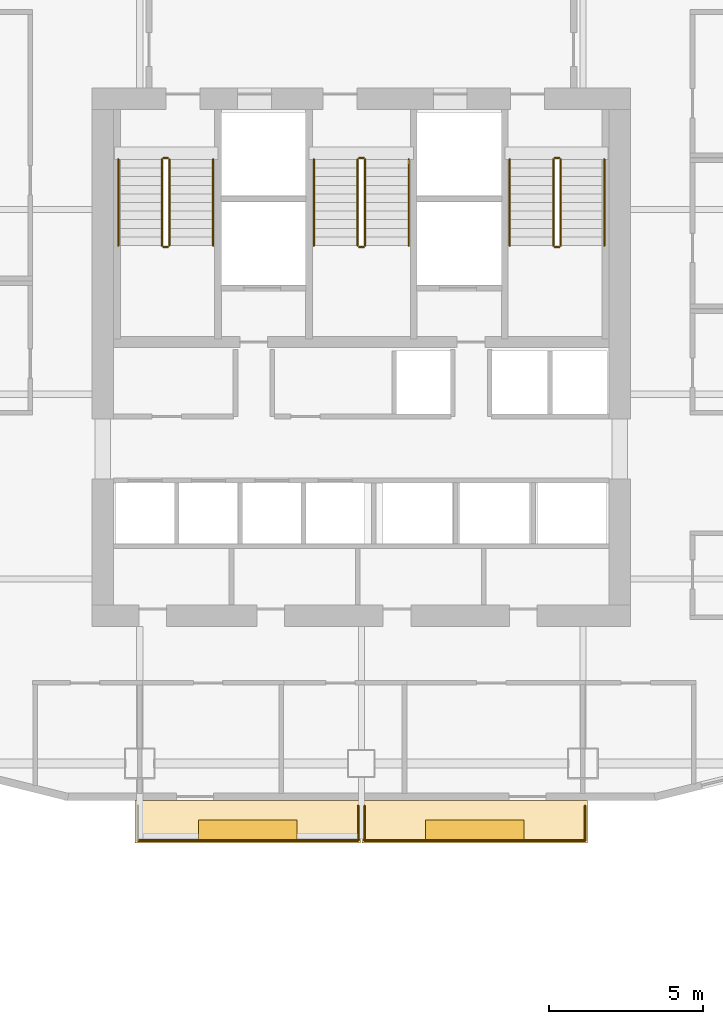
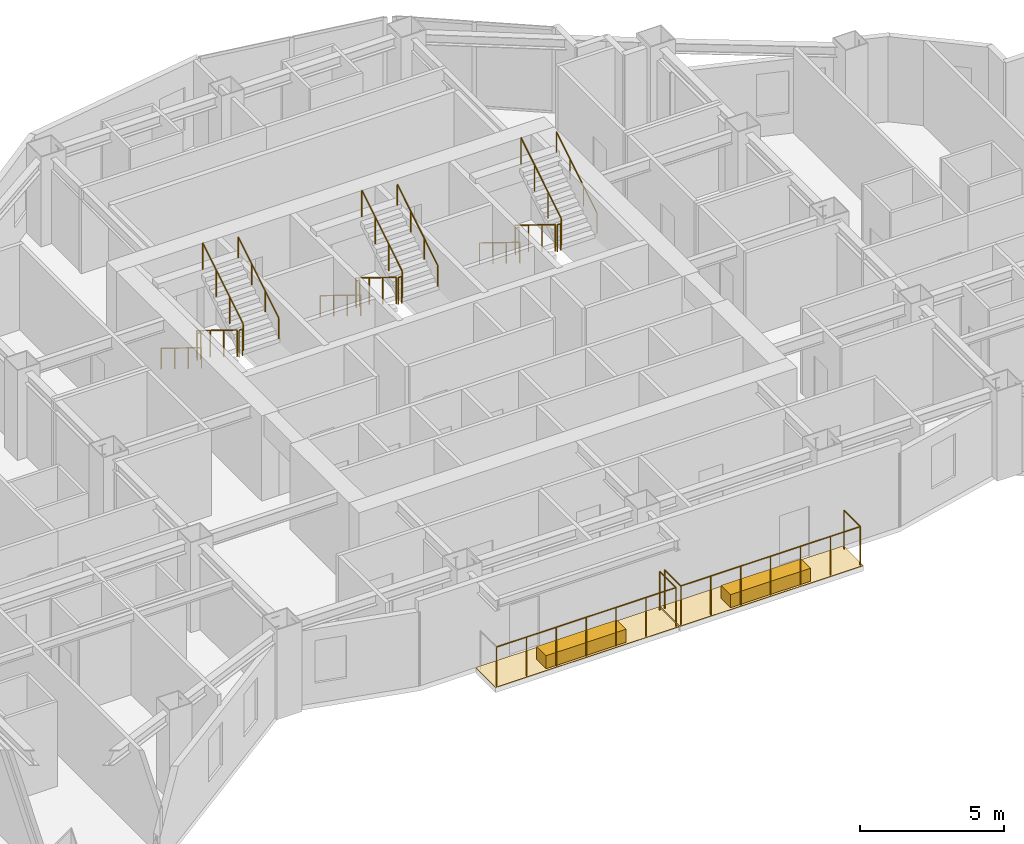
# One storey, part 14 of 14: 21 railings, 4 coverings.
"""IFC4 building model written with IfcOpenShell, lengths in metres."""

from ifc_helpers import new_model, si_unit, direction, frame, origin, origin_2d, place, context, subcontext, project, spatial, polyline, rectangle, circle, outline, extrude, material, layer, layer_set, type_object, element, save


model = new_model("IFC4")

# Units and contexts
model_context = context("Model", 3, precision=1e-05, world=origin(), true_north=direction((0.0, 1.0)))
body_context = subcontext(model_context, "Body", "Model", "MODEL_VIEW")
ifc_project = project(units=[si_unit("LENGTHUNIT", "METRE"), si_unit("AREAUNIT", "SQUARE_METRE"), si_unit("VOLUMEUNIT", "CUBIC_METRE"), si_unit("PLANEANGLEUNIT", "RADIAN"), si_unit("MASSUNIT", "GRAM", prefix="KILO")], contexts=[model_context])

# Site, building, storey
site_placement = place(None, origin())
site = spatial("IfcSite", under=ifc_project, at=site_placement, CompositionType="ELEMENT")
building_placement = place(site_placement, origin())
building = spatial("IfcBuilding", under=site, at=building_placement, Name="Haolan Belvedere Tower", CompositionType="ELEMENT")
storey_placement = place(building_placement, frame((0.0, 0.0, 121.199951171875)))
storey = spatial("IfcBuildingStorey", under=building, at=storey_placement, Name="L30", CompositionType="ELEMENT", Elevation=121.199951171875)

# Coverings
ifc_material_1 = material(Name="Engineered lightweight planted garden soil substrate", Category="masonry")
ifc_layer_1 = layer(ifc_material_1, 0.550048828125, Name="Engineered lightweight planted garden soil substrate")
ifc_layer_set_1 = layer_set([ifc_layer_1], Name="Engineered lightweight planted garden soil substrate")
covering_type_1 = type_object("IfcCoveringType", Name="COV-PLANT-550", PredefinedType="MEMBRANE", material=ifc_layer_set_1)
for number, where, z_axis, x_axis, name in (
    (1, (34.715087890625, 19.43994140625, 0.0), (0.0, 0.0, 1.0), (1.0, 0.0, 0.0), "L30 structural tree balcony PLANTER box 1"),
    (2, (42.0849609375, 19.43994140625, 0.0), (0.0, 0.0, 1.0), (1.0, 0.0, 0.0), "L30 structural tree balcony PLANTER box 2"),
):
    element("IfcCovering", number, at=place(storey_placement, frame(where, z_axis=z_axis, x_axis=x_axis)), inside=storey, type_object=covering_type_1, Name=name, PredefinedType="MEMBRANE", context=body_context, shape_type="SweptSolid", body=[
        extrude(rectangle(XDim=3.199951171875, YDim=0.64990234375, at=origin_2d()), origin(), (0.0, 0.0, 1.0), 0.550048828125),
    ])
ifc_material_2 = material(Name="Elastomeric waterproof roofing membrane and stone pavers", Category="masonry")
ifc_layer_2 = layer(ifc_material_2, 0.02001953125, Name="Elastomeric waterproof roofing membrane and stone pavers")
ifc_layer_set_2 = layer_set([ifc_layer_2], Name="Elastomeric waterproof roofing membrane and stone pavers")
covering_type_2 = type_object("IfcCoveringType", Name="COV-ROOF-20", PredefinedType="ROOFING", material=ifc_layer_set_2)
covering_1_placement = place(storey_placement, frame((0.0, 0.0, -0.02001953125)))
element("IfcCovering", 3, at=covering_1_placement, inside=storey, type_object=covering_type_2, Name="L30 tree-balcony waterproof membrane 1", PredefinedType="ROOFING", context=body_context, shape_type="SweptSolid", body=[
    extrude(outline(polyline([(31.050048828125, 19.02001953125), (38.3798828125, 19.02001953125), (38.3798828125, 20.39990234375), (31.050048828125, 20.39990234375), (31.050048828125, 19.02001953125)])), origin(), (0.0, 0.0, 1.0), 0.02001953125),
])
covering_2_placement = place(storey_placement, frame((0.0, 0.0, -0.02001953125)))
element("IfcCovering", 4, at=covering_2_placement, inside=storey, type_object=covering_type_2, Name="L30 tree-balcony waterproof membrane 2", PredefinedType="ROOFING", context=body_context, shape_type="SweptSolid", body=[
    extrude(outline(polyline([(38.419921875, 19.02001953125), (45.75, 19.02001953125), (45.75, 20.39990234375), (38.419921875, 20.39990234375), (38.419921875, 19.02001953125)])), origin(), (0.0, 0.0, 1.0), 0.02001953125),
])

# Railings
ifc_material_3 = material(Name="Brushed stainless steel 304", Category="steel")
railing_type_1 = type_object("IfcRailingType", Name="RL-STAIR-GRD-1150", PredefinedType="GUARDRAIL", material=ifc_material_3)
railing_1_placement = place(storey_placement, frame((31.919921875, 41.22998046875, 0.1728515625)))
element("IfcRailing", 5, at=railing_1_placement, inside=storey, type_object=railing_type_1, Name="L30 ST1 stair guard 1", PredefinedType="GUARDRAIL", context=body_context, shape_type="SweptSolid", body=[
    extrude(circle(Radius=0.02392578125, at=origin_2d()), frame((0.0, 0.0, 1.1259765625), z_axis=(0.0, -0.851089632645, 0.525020415988), x_axis=(1.0, 0.0, 0.0)), (0.0, 0.0, 1.0), 3.2900390625),
    extrude(circle(Radius=0.02099609375, at=origin_2d()), origin(), (0.0, 0.0, 1.0), 1.101806640625),
    extrude(circle(Radius=0.02099609375, at=origin_2d()), frame((0.0, -0.933349609375, 0.57568359375)), (0.0, 0.0, 1.0), 1.101806640625),
    extrude(circle(Radius=0.02099609375, at=origin_2d()), frame((0.0, -1.86669921875, 1.151611328125)), (0.0, 0.0, 1.0), 1.101806640625),
    extrude(circle(Radius=0.02099609375, at=origin_2d()), frame((0.0, -2.800048828125, 1.727294921875)), (0.0, 0.0, 1.0), 1.101806640625),
])
railing_2_placement = place(storey_placement, frame((31.969970703125, 38.3798828125, 1.900146484375)))
element("IfcRailing", 6, at=railing_2_placement, inside=storey, type_object=railing_type_1, Name="L30 ST1 stair guard 2", PredefinedType="GUARDRAIL", context=body_context, shape_type="SweptSolid", body=[
    extrude(circle(Radius=0.02392578125, at=origin_2d()), frame((0.0, 0.0, 1.1259765625), z_axis=(1.0, 0.0, 0.0), x_axis=(0.0, 1.0, 0.0)), (0.0, 0.0, 1.0), 0.14013671875),
    extrude(circle(Radius=0.02099609375, at=origin_2d()), origin(), (0.0, 0.0, 1.0), 1.101806640625),
    extrude(circle(Radius=0.02099609375, at=origin_2d()), frame((0.14013671875, 0.0, 0.0)), (0.0, 0.0, 1.0), 1.101806640625),
])
railing_3_placement = place(storey_placement, frame((32.159912109375, 38.429931640625, 2.07275390625)))
element("IfcRailing", 7, at=railing_3_placement, inside=storey, type_object=railing_type_1, Name="L30 ST1 stair guard 3", PredefinedType="GUARDRAIL", context=body_context, shape_type="SweptSolid", body=[
    extrude(circle(Radius=0.02392578125, at=origin_2d()), frame((0.0, 0.0, 1.1259765625), z_axis=(0.0, 0.851089632645, 0.525020415988), x_axis=(-1.0, 0.0, 0.0)), (0.0, 0.0, 1.0), 3.2900390625),
    extrude(circle(Radius=0.02099609375, at=origin_2d()), origin(), (0.0, 0.0, 1.0), 1.101806640625),
    extrude(circle(Radius=0.02099609375, at=origin_2d()), frame((0.0, 0.933349609375, 0.57568359375)), (0.0, 0.0, 1.0), 1.101806640625),
    extrude(circle(Radius=0.02099609375, at=origin_2d()), frame((0.0, 1.86669921875, 1.151611328125)), (0.0, 0.0, 1.0), 1.101806640625),
    extrude(circle(Radius=0.02099609375, at=origin_2d()), frame((0.0, 2.800048828125, 1.727294921875)), (0.0, 0.0, 1.0), 1.101806640625),
])
railing_4_placement = place(storey_placement, frame((31.969970703125, 41.280029296875, 0.0)))
element("IfcRailing", 8, at=railing_4_placement, inside=storey, type_object=railing_type_1, Name="L30 ST1 stair guard 4", PredefinedType="GUARDRAIL", context=body_context, shape_type="SweptSolid", body=[
    extrude(circle(Radius=0.02392578125, at=origin_2d()), frame((0.0, 0.0, 1.1259765625), z_axis=(1.0, 0.0, 0.0), x_axis=(0.0, 1.0, 0.0)), (0.0, 0.0, 1.0), 0.14013671875),
    extrude(circle(Radius=0.02099609375, at=origin_2d()), origin(), (0.0, 0.0, 1.0), 1.101806640625),
    extrude(circle(Radius=0.02099609375, at=origin_2d()), frame((0.14013671875, 0.0, 0.0)), (0.0, 0.0, 1.0), 1.101806640625),
])
railing_5_placement = place(storey_placement, frame((38.280029296875, 41.22998046875, 0.1728515625)))
element("IfcRailing", 9, at=railing_5_placement, inside=storey, type_object=railing_type_1, Name="L30 ST3 stair guard 1", PredefinedType="GUARDRAIL", context=body_context, shape_type="SweptSolid", body=[
    extrude(circle(Radius=0.02392578125, at=origin_2d()), frame((0.0, 0.0, 1.1259765625), z_axis=(0.0, -0.851089632645, 0.525020415988), x_axis=(1.0, 0.0, 0.0)), (0.0, 0.0, 1.0), 3.2900390625),
    extrude(circle(Radius=0.02099609375, at=origin_2d()), origin(), (0.0, 0.0, 1.0), 1.101806640625),
    extrude(circle(Radius=0.02099609375, at=origin_2d()), frame((0.0, -0.933349609375, 0.57568359375)), (0.0, 0.0, 1.0), 1.101806640625),
    extrude(circle(Radius=0.02099609375, at=origin_2d()), frame((0.0, -1.86669921875, 1.151611328125)), (0.0, 0.0, 1.0), 1.101806640625),
    extrude(circle(Radius=0.02099609375, at=origin_2d()), frame((0.0, -2.800048828125, 1.727294921875)), (0.0, 0.0, 1.0), 1.101806640625),
])
railing_6_placement = place(storey_placement, frame((38.330078125, 38.3798828125, 1.900146484375)))
element("IfcRailing", 10, at=railing_6_placement, inside=storey, type_object=railing_type_1, Name="L30 ST3 stair guard 2", PredefinedType="GUARDRAIL", context=body_context, shape_type="SweptSolid", body=[
    extrude(circle(Radius=0.02392578125, at=origin_2d()), frame((0.0, 0.0, 1.1259765625), z_axis=(1.0, 0.0, 0.0), x_axis=(0.0, 1.0, 0.0)), (0.0, 0.0, 1.0), 0.139892578125),
    extrude(circle(Radius=0.02099609375, at=origin_2d()), origin(), (0.0, 0.0, 1.0), 1.101806640625),
    extrude(circle(Radius=0.02099609375, at=origin_2d()), frame((0.139892578125, 0.0, 0.0)), (0.0, 0.0, 1.0), 1.101806640625),
])
railing_7_placement = place(storey_placement, frame((38.52001953125, 38.429931640625, 2.07275390625)))
element("IfcRailing", 11, at=railing_7_placement, inside=storey, type_object=railing_type_1, Name="L30 ST3 stair guard 3", PredefinedType="GUARDRAIL", context=body_context, shape_type="SweptSolid", body=[
    extrude(circle(Radius=0.02392578125, at=origin_2d()), frame((0.0, 0.0, 1.1259765625), z_axis=(0.0, 0.851089632645, 0.525020415988), x_axis=(-1.0, 0.0, 0.0)), (0.0, 0.0, 1.0), 3.2900390625),
    extrude(circle(Radius=0.02099609375, at=origin_2d()), origin(), (0.0, 0.0, 1.0), 1.101806640625),
    extrude(circle(Radius=0.02099609375, at=origin_2d()), frame((0.0, 0.933349609375, 0.57568359375)), (0.0, 0.0, 1.0), 1.101806640625),
    extrude(circle(Radius=0.02099609375, at=origin_2d()), frame((0.0, 1.86669921875, 1.151611328125)), (0.0, 0.0, 1.0), 1.101806640625),
    extrude(circle(Radius=0.02099609375, at=origin_2d()), frame((0.0, 2.800048828125, 1.727294921875)), (0.0, 0.0, 1.0), 1.101806640625),
])
railing_8_placement = place(storey_placement, frame((38.330078125, 41.280029296875, 0.0)))
element("IfcRailing", 12, at=railing_8_placement, inside=storey, type_object=railing_type_1, Name="L30 ST3 stair guard 4", PredefinedType="GUARDRAIL", context=body_context, shape_type="SweptSolid", body=[
    extrude(circle(Radius=0.02392578125, at=origin_2d()), frame((0.0, 0.0, 1.1259765625), z_axis=(1.0, 0.0, 0.0), x_axis=(0.0, 1.0, 0.0)), (0.0, 0.0, 1.0), 0.139892578125),
    extrude(circle(Radius=0.02099609375, at=origin_2d()), origin(), (0.0, 0.0, 1.0), 1.101806640625),
    extrude(circle(Radius=0.02099609375, at=origin_2d()), frame((0.139892578125, 0.0, 0.0)), (0.0, 0.0, 1.0), 1.101806640625),
])
railing_9_placement = place(storey_placement, frame((44.639892578125, 41.22998046875, 0.1728515625)))
element("IfcRailing", 13, at=railing_9_placement, inside=storey, type_object=railing_type_1, Name="L30 ST2 stair guard 1", PredefinedType="GUARDRAIL", context=body_context, shape_type="SweptSolid", body=[
    extrude(circle(Radius=0.02392578125, at=origin_2d()), frame((0.0, 0.0, 1.1259765625), z_axis=(0.0, -0.851089632645, 0.525020415988), x_axis=(1.0, 0.0, 0.0)), (0.0, 0.0, 1.0), 3.2900390625),
    extrude(circle(Radius=0.02099609375, at=origin_2d()), origin(), (0.0, 0.0, 1.0), 1.101806640625),
    extrude(circle(Radius=0.02099609375, at=origin_2d()), frame((0.0, -0.933349609375, 0.57568359375)), (0.0, 0.0, 1.0), 1.101806640625),
    extrude(circle(Radius=0.02099609375, at=origin_2d()), frame((0.0, -1.86669921875, 1.151611328125)), (0.0, 0.0, 1.0), 1.101806640625),
    extrude(circle(Radius=0.02099609375, at=origin_2d()), frame((0.0, -2.800048828125, 1.727294921875)), (0.0, 0.0, 1.0), 1.101806640625),
])
railing_10_placement = place(storey_placement, frame((44.68994140625, 38.3798828125, 1.900146484375)))
element("IfcRailing", 14, at=railing_10_placement, inside=storey, type_object=railing_type_1, Name="L30 ST2 stair guard 2", PredefinedType="GUARDRAIL", context=body_context, shape_type="SweptSolid", body=[
    extrude(circle(Radius=0.02392578125, at=origin_2d()), frame((0.0, 0.0, 1.1259765625), z_axis=(1.0, 0.0, 0.0), x_axis=(0.0, 1.0, 0.0)), (0.0, 0.0, 1.0), 0.14013671875),
    extrude(circle(Radius=0.02099609375, at=origin_2d()), origin(), (0.0, 0.0, 1.0), 1.101806640625),
    extrude(circle(Radius=0.02099609375, at=origin_2d()), frame((0.14013671875, 0.0, 0.0)), (0.0, 0.0, 1.0), 1.101806640625),
])
railing_11_placement = place(storey_placement, frame((44.8798828125, 38.429931640625, 2.07275390625)))
element("IfcRailing", 15, at=railing_11_placement, inside=storey, type_object=railing_type_1, Name="L30 ST2 stair guard 3", PredefinedType="GUARDRAIL", context=body_context, shape_type="SweptSolid", body=[
    extrude(circle(Radius=0.02392578125, at=origin_2d()), frame((0.0, 0.0, 1.1259765625), z_axis=(0.0, 0.851089632645, 0.525020415988), x_axis=(-1.0, 0.0, 0.0)), (0.0, 0.0, 1.0), 3.2900390625),
    extrude(circle(Radius=0.02099609375, at=origin_2d()), origin(), (0.0, 0.0, 1.0), 1.101806640625),
    extrude(circle(Radius=0.02099609375, at=origin_2d()), frame((0.0, 0.933349609375, 0.57568359375)), (0.0, 0.0, 1.0), 1.101806640625),
    extrude(circle(Radius=0.02099609375, at=origin_2d()), frame((0.0, 1.86669921875, 1.151611328125)), (0.0, 0.0, 1.0), 1.101806640625),
    extrude(circle(Radius=0.02099609375, at=origin_2d()), frame((0.0, 2.800048828125, 1.727294921875)), (0.0, 0.0, 1.0), 1.101806640625),
])
railing_12_placement = place(storey_placement, frame((44.68994140625, 41.280029296875, 0.0)))
element("IfcRailing", 16, at=railing_12_placement, inside=storey, type_object=railing_type_1, Name="L30 ST2 stair guard 4", PredefinedType="GUARDRAIL", context=body_context, shape_type="SweptSolid", body=[
    extrude(circle(Radius=0.02392578125, at=origin_2d()), frame((0.0, 0.0, 1.1259765625), z_axis=(1.0, 0.0, 0.0), x_axis=(0.0, 1.0, 0.0)), (0.0, 0.0, 1.0), 0.14013671875),
    extrude(circle(Radius=0.02099609375, at=origin_2d()), origin(), (0.0, 0.0, 1.0), 1.101806640625),
    extrude(circle(Radius=0.02099609375, at=origin_2d()), frame((0.14013671875, 0.0, 0.0)), (0.0, 0.0, 1.0), 1.101806640625),
])
railing_type_2 = type_object("IfcRailingType", Name="RL-STAIR-HND-900", PredefinedType="HANDRAIL", material=ifc_material_3)
railing_13_placement = place(storey_placement, frame((30.5, 41.22998046875, 0.1728515625)))
element("IfcRailing", 17, at=railing_13_placement, inside=storey, type_object=railing_type_2, Name="L30 ST1 stair handrail 1", PredefinedType="HANDRAIL", context=body_context, shape_type="SweptSolid", body=[
    extrude(circle(Radius=0.02392578125, at=origin_2d()), frame((0.0, 0.0, 0.8759765625), z_axis=(0.0, -0.851089632645, 0.525020415988), x_axis=(1.0, 0.0, 0.0)), (0.0, 0.0, 1.0), 3.2900390625),
    extrude(circle(Radius=0.02099609375, at=origin_2d()), origin(), (0.0, 0.0, 1.0), 0.851806640625),
    extrude(circle(Radius=0.02099609375, at=origin_2d()), frame((0.0, -0.933349609375, 0.57568359375)), (0.0, 0.0, 1.0), 0.851806640625),
    extrude(circle(Radius=0.02099609375, at=origin_2d()), frame((0.0, -1.86669921875, 1.151611328125)), (0.0, 0.0, 1.0), 0.851806640625),
    extrude(circle(Radius=0.02099609375, at=origin_2d()), frame((0.0, -2.800048828125, 1.727294921875)), (0.0, 0.0, 1.0), 0.851806640625),
])
railing_14_placement = place(storey_placement, frame((33.580078125, 38.429931640625, 2.07275390625)))
element("IfcRailing", 18, at=railing_14_placement, inside=storey, type_object=railing_type_2, Name="L30 ST1 stair handrail 2", PredefinedType="HANDRAIL", context=body_context, shape_type="SweptSolid", body=[
    extrude(circle(Radius=0.02392578125, at=origin_2d()), frame((0.0, 0.0, 0.8759765625), z_axis=(0.0, 0.851089632645, 0.525020415988), x_axis=(-1.0, 0.0, 0.0)), (0.0, 0.0, 1.0), 3.2900390625),
    extrude(circle(Radius=0.02099609375, at=origin_2d()), origin(), (0.0, 0.0, 1.0), 0.851806640625),
    extrude(circle(Radius=0.02099609375, at=origin_2d()), frame((0.0, 0.933349609375, 0.57568359375)), (0.0, 0.0, 1.0), 0.851806640625),
    extrude(circle(Radius=0.02099609375, at=origin_2d()), frame((0.0, 1.86669921875, 1.151611328125)), (0.0, 0.0, 1.0), 0.851806640625),
    extrude(circle(Radius=0.02099609375, at=origin_2d()), frame((0.0, 2.800048828125, 1.727294921875)), (0.0, 0.0, 1.0), 0.851806640625),
])
railing_15_placement = place(storey_placement, frame((36.860107421875, 41.22998046875, 0.1728515625)))
element("IfcRailing", 19, at=railing_15_placement, inside=storey, type_object=railing_type_2, Name="L30 ST3 stair handrail 1", PredefinedType="HANDRAIL", context=body_context, shape_type="SweptSolid", body=[
    extrude(circle(Radius=0.02392578125, at=origin_2d()), frame((0.0, 0.0, 0.8759765625), z_axis=(0.0, -0.851089632645, 0.525020415988), x_axis=(1.0, 0.0, 0.0)), (0.0, 0.0, 1.0), 3.2900390625),
    extrude(circle(Radius=0.02099609375, at=origin_2d()), origin(), (0.0, 0.0, 1.0), 0.851806640625),
    extrude(circle(Radius=0.02099609375, at=origin_2d()), frame((0.0, -0.933349609375, 0.57568359375)), (0.0, 0.0, 1.0), 0.851806640625),
    extrude(circle(Radius=0.02099609375, at=origin_2d()), frame((0.0, -1.86669921875, 1.151611328125)), (0.0, 0.0, 1.0), 0.851806640625),
    extrude(circle(Radius=0.02099609375, at=origin_2d()), frame((0.0, -2.800048828125, 1.727294921875)), (0.0, 0.0, 1.0), 0.851806640625),
])
railing_16_placement = place(storey_placement, frame((39.93994140625, 38.429931640625, 2.07275390625)))
element("IfcRailing", 20, at=railing_16_placement, inside=storey, type_object=railing_type_2, Name="L30 ST3 stair handrail 2", PredefinedType="HANDRAIL", context=body_context, shape_type="SweptSolid", body=[
    extrude(circle(Radius=0.02392578125, at=origin_2d()), frame((0.0, 0.0, 0.8759765625), z_axis=(0.0, 0.851089632645, 0.525020415988), x_axis=(-1.0, 0.0, 0.0)), (0.0, 0.0, 1.0), 3.2900390625),
    extrude(circle(Radius=0.02099609375, at=origin_2d()), origin(), (0.0, 0.0, 1.0), 0.851806640625),
    extrude(circle(Radius=0.02099609375, at=origin_2d()), frame((0.0, 0.933349609375, 0.57568359375)), (0.0, 0.0, 1.0), 0.851806640625),
    extrude(circle(Radius=0.02099609375, at=origin_2d()), frame((0.0, 1.86669921875, 1.151611328125)), (0.0, 0.0, 1.0), 0.851806640625),
    extrude(circle(Radius=0.02099609375, at=origin_2d()), frame((0.0, 2.800048828125, 1.727294921875)), (0.0, 0.0, 1.0), 0.851806640625),
])
railing_17_placement = place(storey_placement, frame((43.219970703125, 41.22998046875, 0.1728515625)))
element("IfcRailing", 21, at=railing_17_placement, inside=storey, type_object=railing_type_2, Name="L30 ST2 stair handrail 1", PredefinedType="HANDRAIL", context=body_context, shape_type="SweptSolid", body=[
    extrude(circle(Radius=0.02392578125, at=origin_2d()), frame((0.0, 0.0, 0.8759765625), z_axis=(0.0, -0.851089632645, 0.525020415988), x_axis=(1.0, 0.0, 0.0)), (0.0, 0.0, 1.0), 3.2900390625),
    extrude(circle(Radius=0.02099609375, at=origin_2d()), origin(), (0.0, 0.0, 1.0), 0.851806640625),
    extrude(circle(Radius=0.02099609375, at=origin_2d()), frame((0.0, -0.933349609375, 0.57568359375)), (0.0, 0.0, 1.0), 0.851806640625),
    extrude(circle(Radius=0.02099609375, at=origin_2d()), frame((0.0, -1.86669921875, 1.151611328125)), (0.0, 0.0, 1.0), 0.851806640625),
    extrude(circle(Radius=0.02099609375, at=origin_2d()), frame((0.0, -2.800048828125, 1.727294921875)), (0.0, 0.0, 1.0), 0.851806640625),
])
railing_18_placement = place(storey_placement, frame((46.300048828125, 38.429931640625, 2.07275390625)))
element("IfcRailing", 22, at=railing_18_placement, inside=storey, type_object=railing_type_2, Name="L30 ST2 stair handrail 2", PredefinedType="HANDRAIL", context=body_context, shape_type="SweptSolid", body=[
    extrude(circle(Radius=0.02392578125, at=origin_2d()), frame((0.0, 0.0, 0.8759765625), z_axis=(0.0, 0.851089632645, 0.525020415988), x_axis=(-1.0, 0.0, 0.0)), (0.0, 0.0, 1.0), 3.2900390625),
    extrude(circle(Radius=0.02099609375, at=origin_2d()), origin(), (0.0, 0.0, 1.0), 0.851806640625),
    extrude(circle(Radius=0.02099609375, at=origin_2d()), frame((0.0, 0.933349609375, 0.57568359375)), (0.0, 0.0, 1.0), 0.851806640625),
    extrude(circle(Radius=0.02099609375, at=origin_2d()), frame((0.0, 1.86669921875, 1.151611328125)), (0.0, 0.0, 1.0), 0.851806640625),
    extrude(circle(Radius=0.02099609375, at=origin_2d()), frame((0.0, 2.800048828125, 1.727294921875)), (0.0, 0.0, 1.0), 0.851806640625),
])
ifc_material_4 = material(Name="Anodised aluminium and laminated glass balustrade", Category="aluminium")
railing_type_3 = type_object("IfcRailingType", Name="RL-TER-BAL-1150", PredefinedType="BALUSTRADE", material=ifc_material_4)
railing_19_placement = place(storey_placement, frame((38.300048828125, 20.219970703125, 0.0)))
element("IfcRailing", 23, at=railing_19_placement, inside=storey, type_object=railing_type_3, Name="L30 outdoor perimeter balustrade BAL-L30-1-2", PredefinedType="BALUSTRADE", context=body_context, shape_type="SweptSolid", body=[
    extrude(circle(Radius=0.02392578125, at=origin_2d()), frame((0.0, 0.0, 1.6259765625), z_axis=(0.0, -1.0, 0.0), x_axis=(1.0, 0.0, 0.0)), (0.0, 0.0, 1.0), 1.119873046875),
    extrude(circle(Radius=0.02392578125, at=origin_2d()), frame((0.0, -1.119873046875, 1.6259765625), z_axis=(-1.0, 0.0, 0.0), x_axis=(0.0, -1.0, 0.0)), (0.0, 0.0, 1.0), 7.170166015625),
    extrude(circle(Radius=0.02099609375, at=origin_2d()), origin(), (0.0, 0.0, 1.0), 1.601806640625),
    extrude(circle(Radius=0.02099609375, at=origin_2d()), frame((0.0, -1.119873046875, 0.0)), (0.0, 0.0, 1.0), 1.601806640625),
    extrude(circle(Radius=0.02099609375, at=origin_2d()), frame((-1.195068359375, -1.119873046875, 0.0)), (0.0, 0.0, 1.0), 1.601806640625),
    extrude(circle(Radius=0.02099609375, at=origin_2d()), frame((-2.39013671875, -1.119873046875, 0.0)), (0.0, 0.0, 1.0), 1.601806640625),
    extrude(circle(Radius=0.02099609375, at=origin_2d()), frame((-3.5849609375, -1.119873046875, 0.0)), (0.0, 0.0, 1.0), 1.601806640625),
    extrude(circle(Radius=0.02099609375, at=origin_2d()), frame((-4.780029296875, -1.119873046875, 0.0)), (0.0, 0.0, 1.0), 1.601806640625),
    extrude(circle(Radius=0.02099609375, at=origin_2d()), frame((-5.97509765625, -1.119873046875, 0.0)), (0.0, 0.0, 1.0), 1.601806640625),
    extrude(circle(Radius=0.02099609375, at=origin_2d()), frame((-7.170166015625, -1.119873046875, 0.0)), (0.0, 0.0, 1.0), 1.601806640625),
])
railing_20_placement = place(storey_placement, frame((38.5, 19.10009765625, 0.0)))
element("IfcRailing", 24, at=railing_20_placement, inside=storey, type_object=railing_type_3, Name="L30 outdoor perimeter balustrade BAL-L30-2-1", PredefinedType="BALUSTRADE", context=body_context, shape_type="SweptSolid", body=[
    extrude(circle(Radius=0.02392578125, at=origin_2d()), frame((0.0, 0.0, 1.6259765625), z_axis=(0.0, 1.0, 0.0), x_axis=(-1.0, 0.0, 0.0)), (0.0, 0.0, 1.0), 1.119873046875),
    extrude(circle(Radius=0.02099609375, at=origin_2d()), origin(), (0.0, 0.0, 1.0), 1.601806640625),
    extrude(circle(Radius=0.02099609375, at=origin_2d()), frame((0.0, 1.119873046875, 0.0)), (0.0, 0.0, 1.0), 1.601806640625),
])
railing_21_placement = place(storey_placement, frame((45.669921875, 20.219970703125, 0.0)))
element("IfcRailing", 25, at=railing_21_placement, inside=storey, type_object=railing_type_3, Name="L30 outdoor perimeter balustrade BAL-L30-2-2", PredefinedType="BALUSTRADE", context=body_context, shape_type="SweptSolid", body=[
    extrude(circle(Radius=0.02392578125, at=origin_2d()), frame((0.0, 0.0, 1.6259765625), z_axis=(0.0, -1.0, 0.0), x_axis=(1.0, 0.0, 0.0)), (0.0, 0.0, 1.0), 1.119873046875),
    extrude(circle(Radius=0.02392578125, at=origin_2d()), frame((0.0, -1.119873046875, 1.6259765625), z_axis=(-1.0, 0.0, 0.0), x_axis=(0.0, -1.0, 0.0)), (0.0, 0.0, 1.0), 7.169921875),
    extrude(circle(Radius=0.02099609375, at=origin_2d()), origin(), (0.0, 0.0, 1.0), 1.601806640625),
    extrude(circle(Radius=0.02099609375, at=origin_2d()), frame((0.0, -1.119873046875, 0.0)), (0.0, 0.0, 1.0), 1.601806640625),
    extrude(circle(Radius=0.02099609375, at=origin_2d()), frame((-1.195068359375, -1.119873046875, 0.0)), (0.0, 0.0, 1.0), 1.601806640625),
    extrude(circle(Radius=0.02099609375, at=origin_2d()), frame((-2.389892578125, -1.119873046875, 0.0)), (0.0, 0.0, 1.0), 1.601806640625),
    extrude(circle(Radius=0.02099609375, at=origin_2d()), frame((-3.5849609375, -1.119873046875, 0.0)), (0.0, 0.0, 1.0), 1.601806640625),
    extrude(circle(Radius=0.02099609375, at=origin_2d()), frame((-4.780029296875, -1.119873046875, 0.0)), (0.0, 0.0, 1.0), 1.601806640625),
    extrude(circle(Radius=0.02099609375, at=origin_2d()), frame((-5.974853515625, -1.119873046875, 0.0)), (0.0, 0.0, 1.0), 1.601806640625),
    extrude(circle(Radius=0.02099609375, at=origin_2d()), frame((-7.169921875, -1.119873046875, 0.0)), (0.0, 0.0, 1.0), 1.601806640625),
])

save(model, "model.ifc")
